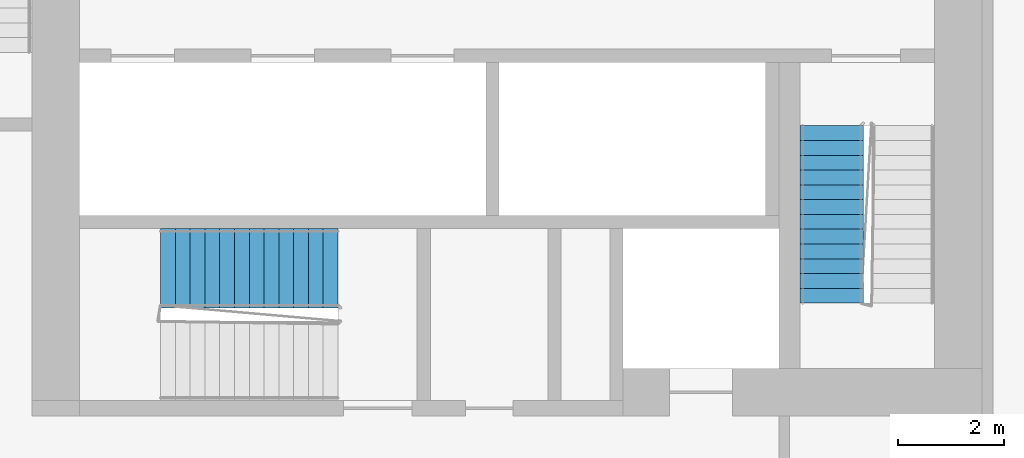
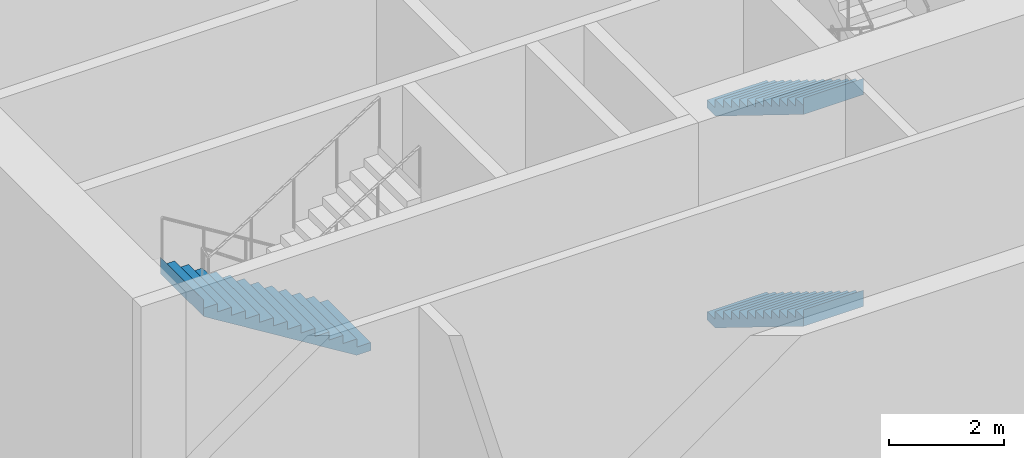
# One storey, part 14 of 24: 3 stair flights, 2 elements without a shape of their own.
"""IFC4 building model written with IfcOpenShell, lengths in metres."""

from ifc_helpers import new_model, si_unit, direction, frame, origin, place, context, subcontext, project, spatial, faceted_brep, material, type_object, element, aggregate, save


model = new_model("IFC4")

# Units and contexts
model_context = context("Model", 3, precision=1e-05, world=origin(), true_north=direction((0.0, 1.0)))
body_context = subcontext(model_context, "Body", "Model", "MODEL_VIEW")
ifc_project = project(units=[si_unit("LENGTHUNIT", "METRE"), si_unit("AREAUNIT", "SQUARE_METRE"), si_unit("VOLUMEUNIT", "CUBIC_METRE"), si_unit("PLANEANGLEUNIT", "RADIAN"), si_unit("MASSUNIT", "GRAM", prefix="KILO")], contexts=[model_context])

# Site, building, storey
site_placement = place(None, origin())
site = spatial("IfcSite", under=ifc_project, at=site_placement, CompositionType="ELEMENT")
building_placement = place(site_placement, origin())
building = spatial("IfcBuilding", under=site, at=building_placement, Name="Kajstack Hotel Tower", CompositionType="ELEMENT")
storey_placement = place(building_placement, frame((0.0, 0.0, 38.0)))
storey = spatial("IfcBuildingStorey", under=building, at=storey_placement, Name="L06", CompositionType="ELEMENT", Elevation=38.0)

# Stair, stair flights
ifc_material = material(Name="Concrete C40/50", Category="concrete")
stair_type_1 = type_object("IfcStairType", Name="Exit stair 1200", PredefinedType="HALF_TURN_STAIR", material=ifc_material)
stair_1_placement = place(storey_placement, origin())
stair_1 = element("IfcStair", 1, at=stair_1_placement, inside=storey, type_object=stair_type_1, Name="L06 stair W2", PredefinedType="HALF_TURN_STAIR")
stair_flight_type_1 = type_object("IfcStairFlightType", Name="Exit stair flight 1200", PredefinedType="STRAIGHT", material=ifc_material)
stair_flight_1_placement = place(storey_placement, frame((-16.35009765625, -10.0, 0.0), z_axis=(0.0, 0.0, 1.0), x_axis=(0.0, -1.0, 0.0)))
stair_flight_1 = element("IfcStairFlight", 2, at=stair_flight_1_placement, type_object=stair_flight_type_1, Name="W2 flight 1", NumberOfRisers=13, NumberOfTreads=12, PredefinedType="STRAIGHT", RiserHeight=0.173076923, TreadLength=0.28, context=body_context, shape_type="Brep", body=[
    faceted_brep([(0.28564453125, -0.60009765625, 0.0), (3.360595703125, -0.60009765625, 1.900634765625), (3.360595703125, -0.60009765625, 2.25), (3.360107421875, -0.60009765625, 2.25), (3.360107421875, -0.60009765625, 2.076904296875), (3.080078125, -0.60009765625, 2.076904296875), (3.080078125, -0.60009765625, 1.90380859375), (2.800048828125, -0.60009765625, 1.90380859375), (2.800048828125, -0.60009765625, 1.730712890625), (2.52001953125, -0.60009765625, 1.730712890625), (2.52001953125, -0.60009765625, 1.5576171875), (2.239990234375, -0.60009765625, 1.5576171875), (2.239990234375, -0.60009765625, 1.384521484375), (1.9599609375, -0.60009765625, 1.384521484375), (1.9599609375, -0.60009765625, 1.21142578125), (1.679931640625, -0.60009765625, 1.21142578125), (1.679931640625, -0.60009765625, 1.03857421875), (1.39990234375, -0.60009765625, 1.03857421875), (1.39990234375, -0.60009765625, 0.865478515625), (1.1201171875, -0.60009765625, 0.865478515625), (1.1201171875, -0.60009765625, 0.6923828125), (0.840087890625, -0.60009765625, 0.6923828125), (0.840087890625, -0.60009765625, 0.519287109375), (0.56005859375, -0.60009765625, 0.519287109375), (0.56005859375, -0.60009765625, 0.34619140625), (0.280029296875, -0.60009765625, 0.34619140625), (0.280029296875, -0.60009765625, 0.173095703125), (-0.00048828125, -0.60009765625, 0.173095703125), (-0.00048828125, -0.60009765625, 0.0), (-0.00048828125, 0.60009765625, 0.0), (-0.00048828125, 0.60009765625, 0.173095703125), (0.280029296875, 0.60009765625, 0.173095703125), (0.280029296875, 0.60009765625, 0.34619140625), (0.56005859375, 0.60009765625, 0.34619140625), (0.56005859375, 0.60009765625, 0.519287109375), (0.840087890625, 0.60009765625, 0.519287109375), (0.840087890625, 0.60009765625, 0.6923828125), (1.1201171875, 0.60009765625, 0.6923828125), (1.1201171875, 0.60009765625, 0.865478515625), (1.39990234375, 0.60009765625, 0.865478515625), (1.39990234375, 0.60009765625, 1.03857421875), (1.679931640625, 0.60009765625, 1.03857421875), (1.679931640625, 0.60009765625, 1.21142578125), (1.9599609375, 0.60009765625, 1.21142578125), (1.9599609375, 0.60009765625, 1.384521484375), (2.239990234375, 0.60009765625, 1.384521484375), (2.239990234375, 0.60009765625, 1.5576171875), (2.52001953125, 0.60009765625, 1.5576171875), (2.52001953125, 0.60009765625, 1.730712890625), (2.800048828125, 0.60009765625, 1.730712890625), (2.800048828125, 0.60009765625, 1.90380859375), (3.080078125, 0.60009765625, 1.90380859375), (3.080078125, 0.60009765625, 2.076904296875), (3.360107421875, 0.60009765625, 2.076904296875), (3.360107421875, 0.60009765625, 2.25), (3.360595703125, 0.60009765625, 2.25), (3.360595703125, 0.60009765625, 1.900634765625), (0.28564453125, 0.60009765625, 0.0), (-0.00048828125, -0.300048828125, 0.173095703125), (-0.00048828125, 0.0, 0.173095703125), (-0.00048828125, 0.300048828125, 0.173095703125), (-0.00048828125, 0.300048828125, 0.0), (-0.00048828125, 0.0, 0.0), (-0.00048828125, -0.300048828125, 0.0), (0.280029296875, -0.300048828125, 0.173095703125), (0.280029296875, 0.0, 0.173095703125), (0.280029296875, 0.300048828125, 0.173095703125), (0.280029296875, -0.300048828125, 0.34619140625), (0.280029296875, 0.0, 0.34619140625), (0.280029296875, 0.300048828125, 0.34619140625), (0.56005859375, -0.300048828125, 0.34619140625), (0.56005859375, 0.0, 0.34619140625), (0.56005859375, 0.300048828125, 0.34619140625), (0.56005859375, -0.300048828125, 0.519287109375), (0.56005859375, 0.0, 0.519287109375), (0.56005859375, 0.300048828125, 0.519287109375), (0.840087890625, -0.300048828125, 0.519287109375), (0.840087890625, 0.0, 0.519287109375), (0.840087890625, 0.300048828125, 0.519287109375), (0.840087890625, -0.300048828125, 0.6923828125), (0.840087890625, 0.0, 0.6923828125), (0.840087890625, 0.300048828125, 0.6923828125), (1.1201171875, -0.300048828125, 0.6923828125), (1.1201171875, 0.0, 0.6923828125), (1.1201171875, 0.300048828125, 0.6923828125), (1.1201171875, -0.300048828125, 0.865478515625), (1.1201171875, 0.0, 0.865478515625), (1.1201171875, 0.300048828125, 0.865478515625), (1.39990234375, -0.300048828125, 0.865478515625), (1.39990234375, 0.0, 0.865478515625), (1.39990234375, 0.300048828125, 0.865478515625), (1.39990234375, -0.300048828125, 1.03857421875), (1.39990234375, 0.0, 1.03857421875), (1.39990234375, 0.300048828125, 1.03857421875), (1.679931640625, -0.300048828125, 1.03857421875), (1.679931640625, 0.0, 1.03857421875), (1.679931640625, 0.300048828125, 1.03857421875), (1.679931640625, -0.300048828125, 1.21142578125), (1.679931640625, 0.0, 1.21142578125), (1.679931640625, 0.300048828125, 1.21142578125), (1.9599609375, -0.300048828125, 1.21142578125), (1.9599609375, 0.0, 1.21142578125), (1.9599609375, 0.300048828125, 1.21142578125), (1.9599609375, -0.300048828125, 1.384521484375), (1.9599609375, 0.0, 1.384521484375), (1.9599609375, 0.300048828125, 1.384521484375), (2.239990234375, -0.300048828125, 1.384521484375), (2.239990234375, 0.0, 1.384521484375), (2.239990234375, 0.300048828125, 1.384521484375), (2.239990234375, -0.300048828125, 1.5576171875), (2.239990234375, 0.0, 1.5576171875), (2.239990234375, 0.300048828125, 1.5576171875), (2.52001953125, -0.300048828125, 1.5576171875), (2.52001953125, 0.0, 1.5576171875), (2.52001953125, 0.300048828125, 1.5576171875), (2.52001953125, -0.300048828125, 1.730712890625), (2.52001953125, 0.0, 1.730712890625), (2.52001953125, 0.300048828125, 1.730712890625), (2.800048828125, -0.300048828125, 1.730712890625), (2.800048828125, 0.0, 1.730712890625), (2.800048828125, 0.300048828125, 1.730712890625), (2.800048828125, -0.300048828125, 1.90380859375), (2.800048828125, 0.0, 1.90380859375), (2.800048828125, 0.300048828125, 1.90380859375), (3.080078125, -0.300048828125, 1.90380859375), (3.080078125, 0.0, 1.90380859375), (3.080078125, 0.300048828125, 1.90380859375), (3.080078125, -0.300048828125, 2.076904296875), (3.080078125, 0.0, 2.076904296875), (3.080078125, 0.300048828125, 2.076904296875), (3.360107421875, -0.300048828125, 2.076904296875), (3.360107421875, 0.0, 2.076904296875), (3.360107421875, 0.300048828125, 2.076904296875), (3.360107421875, -0.300048828125, 2.25), (3.360107421875, 0.0, 2.25), (3.360107421875, 0.300048828125, 2.25), (3.360595703125, -0.300048828125, 2.25), (3.360595703125, 0.0, 2.25), (3.360595703125, 0.300048828125, 2.25), (3.360595703125, -0.300048828125, 1.900634765625), (3.360595703125, 0.0, 1.900634765625), (3.360595703125, 0.300048828125, 1.900634765625), (0.28564453125, -0.300048828125, 0.0), (0.28564453125, 0.0, 0.0), (0.28564453125, 0.300048828125, 0.0)], [[[0, 1, 2, 3, 4, 5, 6, 7, 8, 9, 10, 11, 12, 13, 14, 15, 16, 17, 18, 19, 20, 21, 22, 23, 24, 25, 26, 27, 28]], [[29, 30, 31, 32, 33, 34, 35, 36, 37, 38, 39, 40, 41, 42, 43, 44, 45, 46, 47, 48, 49, 50, 51, 52, 53, 54, 55, 56, 57]], [[27, 58, 59, 60, 30, 29, 61, 62, 63, 28]], [[26, 64, 65, 66, 31, 30, 60, 59, 58, 27]], [[25, 67, 68, 69, 32, 31, 66, 65, 64, 26]], [[24, 70, 71, 72, 33, 32, 69, 68, 67, 25]], [[23, 73, 74, 75, 34, 33, 72, 71, 70, 24]], [[22, 76, 77, 78, 35, 34, 75, 74, 73, 23]], [[21, 79, 80, 81, 36, 35, 78, 77, 76, 22]], [[20, 82, 83, 84, 37, 36, 81, 80, 79, 21]], [[19, 85, 86, 87, 38, 37, 84, 83, 82, 20]], [[18, 88, 89, 90, 39, 38, 87, 86, 85, 19]], [[17, 91, 92, 93, 40, 39, 90, 89, 88, 18]], [[16, 94, 95, 96, 41, 40, 93, 92, 91, 17]], [[15, 97, 98, 99, 42, 41, 96, 95, 94, 16]], [[14, 100, 101, 102, 43, 42, 99, 98, 97, 15]], [[13, 103, 104, 105, 44, 43, 102, 101, 100, 14]], [[12, 106, 107, 108, 45, 44, 105, 104, 103, 13]], [[11, 109, 110, 111, 46, 45, 108, 107, 106, 12]], [[10, 112, 113, 114, 47, 46, 111, 110, 109, 11]], [[9, 115, 116, 117, 48, 47, 114, 113, 112, 10]], [[8, 118, 119, 120, 49, 48, 117, 116, 115, 9]], [[7, 121, 122, 123, 50, 49, 120, 119, 118, 8]], [[6, 124, 125, 126, 51, 50, 123, 122, 121, 7]], [[5, 127, 128, 129, 52, 51, 126, 125, 124, 6]], [[4, 130, 131, 132, 53, 52, 129, 128, 127, 5]], [[3, 133, 134, 135, 54, 53, 132, 131, 130, 4]], [[2, 136, 137, 138, 55, 54, 135, 134, 133, 3]], [[1, 139, 140, 141, 56, 55, 138, 137, 136, 2]], [[0, 142, 143, 144, 57, 56, 141, 140, 139, 1]], [[28, 63, 62, 61, 29, 57, 144, 143, 142, 0]]]),
])
stair_flight_2_placement = place(storey_placement, frame((-16.35009765625, -10.0, 4.5), z_axis=(0.0, 0.0, 1.0), x_axis=(0.0, -1.0, 0.0)))
stair_flight_2 = element("IfcStairFlight", 3, at=stair_flight_2_placement, type_object=stair_flight_type_1, Name="W2 flight 3", NumberOfRisers=13, NumberOfTreads=12, PredefinedType="STRAIGHT", RiserHeight=0.173076923, TreadLength=0.28, context=body_context, shape_type="Brep", body=[
    faceted_brep([(0.28564453125, -0.60009765625, 0.0), (3.360595703125, -0.60009765625, 1.900634765625), (3.360595703125, -0.60009765625, 2.25), (3.360107421875, -0.60009765625, 2.25), (3.360107421875, -0.60009765625, 2.076904296875), (3.080078125, -0.60009765625, 2.076904296875), (3.080078125, -0.60009765625, 1.90380859375), (2.800048828125, -0.60009765625, 1.90380859375), (2.800048828125, -0.60009765625, 1.730712890625), (2.52001953125, -0.60009765625, 1.730712890625), (2.52001953125, -0.60009765625, 1.5576171875), (2.239990234375, -0.60009765625, 1.5576171875), (2.239990234375, -0.60009765625, 1.384521484375), (1.9599609375, -0.60009765625, 1.384521484375), (1.9599609375, -0.60009765625, 1.21142578125), (1.679931640625, -0.60009765625, 1.21142578125), (1.679931640625, -0.60009765625, 1.03857421875), (1.39990234375, -0.60009765625, 1.03857421875), (1.39990234375, -0.60009765625, 0.865478515625), (1.1201171875, -0.60009765625, 0.865478515625), (1.1201171875, -0.60009765625, 0.6923828125), (0.840087890625, -0.60009765625, 0.6923828125), (0.840087890625, -0.60009765625, 0.519287109375), (0.56005859375, -0.60009765625, 0.519287109375), (0.56005859375, -0.60009765625, 0.34619140625), (0.280029296875, -0.60009765625, 0.34619140625), (0.280029296875, -0.60009765625, 0.173095703125), (-0.00048828125, -0.60009765625, 0.173095703125), (-0.00048828125, -0.60009765625, 0.0), (-0.00048828125, 0.60009765625, 0.0), (-0.00048828125, 0.60009765625, 0.173095703125), (0.280029296875, 0.60009765625, 0.173095703125), (0.280029296875, 0.60009765625, 0.34619140625), (0.56005859375, 0.60009765625, 0.34619140625), (0.56005859375, 0.60009765625, 0.519287109375), (0.840087890625, 0.60009765625, 0.519287109375), (0.840087890625, 0.60009765625, 0.6923828125), (1.1201171875, 0.60009765625, 0.6923828125), (1.1201171875, 0.60009765625, 0.865478515625), (1.39990234375, 0.60009765625, 0.865478515625), (1.39990234375, 0.60009765625, 1.03857421875), (1.679931640625, 0.60009765625, 1.03857421875), (1.679931640625, 0.60009765625, 1.21142578125), (1.9599609375, 0.60009765625, 1.21142578125), (1.9599609375, 0.60009765625, 1.384521484375), (2.239990234375, 0.60009765625, 1.384521484375), (2.239990234375, 0.60009765625, 1.5576171875), (2.52001953125, 0.60009765625, 1.5576171875), (2.52001953125, 0.60009765625, 1.730712890625), (2.800048828125, 0.60009765625, 1.730712890625), (2.800048828125, 0.60009765625, 1.90380859375), (3.080078125, 0.60009765625, 1.90380859375), (3.080078125, 0.60009765625, 2.076904296875), (3.360107421875, 0.60009765625, 2.076904296875), (3.360107421875, 0.60009765625, 2.25), (3.360595703125, 0.60009765625, 2.25), (3.360595703125, 0.60009765625, 1.900634765625), (0.28564453125, 0.60009765625, 0.0), (-0.00048828125, -0.300048828125, 0.173095703125), (-0.00048828125, 0.0, 0.173095703125), (-0.00048828125, 0.300048828125, 0.173095703125), (-0.00048828125, 0.300048828125, 0.0), (-0.00048828125, 0.0, 0.0), (-0.00048828125, -0.300048828125, 0.0), (0.280029296875, -0.300048828125, 0.173095703125), (0.280029296875, 0.0, 0.173095703125), (0.280029296875, 0.300048828125, 0.173095703125), (0.280029296875, -0.300048828125, 0.34619140625), (0.280029296875, 0.0, 0.34619140625), (0.280029296875, 0.300048828125, 0.34619140625), (0.56005859375, -0.300048828125, 0.34619140625), (0.56005859375, 0.0, 0.34619140625), (0.56005859375, 0.300048828125, 0.34619140625), (0.56005859375, -0.300048828125, 0.519287109375), (0.56005859375, 0.0, 0.519287109375), (0.56005859375, 0.300048828125, 0.519287109375), (0.840087890625, -0.300048828125, 0.519287109375), (0.840087890625, 0.0, 0.519287109375), (0.840087890625, 0.300048828125, 0.519287109375), (0.840087890625, -0.300048828125, 0.6923828125), (0.840087890625, 0.0, 0.6923828125), (0.840087890625, 0.300048828125, 0.6923828125), (1.1201171875, -0.300048828125, 0.6923828125), (1.1201171875, 0.0, 0.6923828125), (1.1201171875, 0.300048828125, 0.6923828125), (1.1201171875, -0.300048828125, 0.865478515625), (1.1201171875, 0.0, 0.865478515625), (1.1201171875, 0.300048828125, 0.865478515625), (1.39990234375, -0.300048828125, 0.865478515625), (1.39990234375, 0.0, 0.865478515625), (1.39990234375, 0.300048828125, 0.865478515625), (1.39990234375, -0.300048828125, 1.03857421875), (1.39990234375, 0.0, 1.03857421875), (1.39990234375, 0.300048828125, 1.03857421875), (1.679931640625, -0.300048828125, 1.03857421875), (1.679931640625, 0.0, 1.03857421875), (1.679931640625, 0.300048828125, 1.03857421875), (1.679931640625, -0.300048828125, 1.21142578125), (1.679931640625, 0.0, 1.21142578125), (1.679931640625, 0.300048828125, 1.21142578125), (1.9599609375, -0.300048828125, 1.21142578125), (1.9599609375, 0.0, 1.21142578125), (1.9599609375, 0.300048828125, 1.21142578125), (1.9599609375, -0.300048828125, 1.384521484375), (1.9599609375, 0.0, 1.384521484375), (1.9599609375, 0.300048828125, 1.384521484375), (2.239990234375, -0.300048828125, 1.384521484375), (2.239990234375, 0.0, 1.384521484375), (2.239990234375, 0.300048828125, 1.384521484375), (2.239990234375, -0.300048828125, 1.5576171875), (2.239990234375, 0.0, 1.5576171875), (2.239990234375, 0.300048828125, 1.5576171875), (2.52001953125, -0.300048828125, 1.5576171875), (2.52001953125, 0.0, 1.5576171875), (2.52001953125, 0.300048828125, 1.5576171875), (2.52001953125, -0.300048828125, 1.730712890625), (2.52001953125, 0.0, 1.730712890625), (2.52001953125, 0.300048828125, 1.730712890625), (2.800048828125, -0.300048828125, 1.730712890625), (2.800048828125, 0.0, 1.730712890625), (2.800048828125, 0.300048828125, 1.730712890625), (2.800048828125, -0.300048828125, 1.90380859375), (2.800048828125, 0.0, 1.90380859375), (2.800048828125, 0.300048828125, 1.90380859375), (3.080078125, -0.300048828125, 1.90380859375), (3.080078125, 0.0, 1.90380859375), (3.080078125, 0.300048828125, 1.90380859375), (3.080078125, -0.300048828125, 2.076904296875), (3.080078125, 0.0, 2.076904296875), (3.080078125, 0.300048828125, 2.076904296875), (3.360107421875, -0.300048828125, 2.076904296875), (3.360107421875, 0.0, 2.076904296875), (3.360107421875, 0.300048828125, 2.076904296875), (3.360107421875, -0.300048828125, 2.25), (3.360107421875, 0.0, 2.25), (3.360107421875, 0.300048828125, 2.25), (3.360595703125, -0.300048828125, 2.25), (3.360595703125, 0.0, 2.25), (3.360595703125, 0.300048828125, 2.25), (3.360595703125, -0.300048828125, 1.900634765625), (3.360595703125, 0.0, 1.900634765625), (3.360595703125, 0.300048828125, 1.900634765625), (0.28564453125, -0.300048828125, 0.0), (0.28564453125, 0.0, 0.0), (0.28564453125, 0.300048828125, 0.0)], [[[0, 1, 2, 3, 4, 5, 6, 7, 8, 9, 10, 11, 12, 13, 14, 15, 16, 17, 18, 19, 20, 21, 22, 23, 24, 25, 26, 27, 28]], [[29, 30, 31, 32, 33, 34, 35, 36, 37, 38, 39, 40, 41, 42, 43, 44, 45, 46, 47, 48, 49, 50, 51, 52, 53, 54, 55, 56, 57]], [[27, 58, 59, 60, 30, 29, 61, 62, 63, 28]], [[26, 64, 65, 66, 31, 30, 60, 59, 58, 27]], [[25, 67, 68, 69, 32, 31, 66, 65, 64, 26]], [[24, 70, 71, 72, 33, 32, 69, 68, 67, 25]], [[23, 73, 74, 75, 34, 33, 72, 71, 70, 24]], [[22, 76, 77, 78, 35, 34, 75, 74, 73, 23]], [[21, 79, 80, 81, 36, 35, 78, 77, 76, 22]], [[20, 82, 83, 84, 37, 36, 81, 80, 79, 21]], [[19, 85, 86, 87, 38, 37, 84, 83, 82, 20]], [[18, 88, 89, 90, 39, 38, 87, 86, 85, 19]], [[17, 91, 92, 93, 40, 39, 90, 89, 88, 18]], [[16, 94, 95, 96, 41, 40, 93, 92, 91, 17]], [[15, 97, 98, 99, 42, 41, 96, 95, 94, 16]], [[14, 100, 101, 102, 43, 42, 99, 98, 97, 15]], [[13, 103, 104, 105, 44, 43, 102, 101, 100, 14]], [[12, 106, 107, 108, 45, 44, 105, 104, 103, 13]], [[11, 109, 110, 111, 46, 45, 108, 107, 106, 12]], [[10, 112, 113, 114, 47, 46, 111, 110, 109, 11]], [[9, 115, 116, 117, 48, 47, 114, 113, 112, 10]], [[8, 118, 119, 120, 49, 48, 117, 116, 115, 9]], [[7, 121, 122, 123, 50, 49, 120, 119, 118, 8]], [[6, 124, 125, 126, 51, 50, 123, 122, 121, 7]], [[5, 127, 128, 129, 52, 51, 126, 125, 124, 6]], [[4, 130, 131, 132, 53, 52, 129, 128, 127, 5]], [[3, 133, 134, 135, 54, 53, 132, 131, 130, 4]], [[2, 136, 137, 138, 55, 54, 135, 134, 133, 3]], [[1, 139, 140, 141, 56, 55, 138, 137, 136, 2]], [[0, 142, 143, 144, 57, 56, 141, 140, 139, 1]], [[28, 63, 62, 61, 29, 57, 144, 143, 142, 0]]]),
])
aggregate(stair_1, [stair_flight_1, stair_flight_2])

# Stair, stair flight
stair_type_2 = type_object("IfcStairType", Name="Exit stair 1500", PredefinedType="HALF_TURN_STAIR", material=ifc_material)
stair_2_placement = place(storey_placement, origin())
stair_2 = element("IfcStair", 4, at=stair_2_placement, inside=storey, type_object=stair_type_2, Name="L06 stair W3", PredefinedType="HALF_TURN_STAIR")
stair_flight_type_2 = type_object("IfcStairFlightType", Name="Exit stair flight 1500", PredefinedType="STRAIGHT", material=ifc_material)
stair_flight_3_placement = place(storey_placement, frame((-25.699951171875, -12.699951171875, 4.5), z_axis=(0.0, 0.0, 1.0), x_axis=(-1.0, 0.0, 0.0)))
stair_flight_3 = element("IfcStairFlight", 5, at=stair_flight_3_placement, type_object=stair_flight_type_2, Name="W3 flight 3", NumberOfRisers=13, NumberOfTreads=12, PredefinedType="STRAIGHT", RiserHeight=0.173076923, TreadLength=0.28, context=body_context, shape_type="Brep", body=[
    faceted_brep([(0.28564453125, -0.75, 0.0), (3.360595703125, -0.75, 1.900634765625), (3.360595703125, -0.75, 2.25), (3.360107421875, -0.75, 2.25), (3.360107421875, -0.75, 2.076904296875), (3.080078125, -0.75, 2.076904296875), (3.080078125, -0.75, 1.90380859375), (2.800048828125, -0.75, 1.90380859375), (2.800048828125, -0.75, 1.730712890625), (2.52001953125, -0.75, 1.730712890625), (2.52001953125, -0.75, 1.5576171875), (2.239990234375, -0.75, 1.5576171875), (2.239990234375, -0.75, 1.384521484375), (1.9599609375, -0.75, 1.384521484375), (1.9599609375, -0.75, 1.21142578125), (1.679931640625, -0.75, 1.21142578125), (1.679931640625, -0.75, 1.03857421875), (1.39990234375, -0.75, 1.03857421875), (1.39990234375, -0.75, 0.865478515625), (1.1201171875, -0.75, 0.865478515625), (1.1201171875, -0.75, 0.6923828125), (0.840087890625, -0.75, 0.6923828125), (0.840087890625, -0.75, 0.519287109375), (0.56005859375, -0.75, 0.519287109375), (0.56005859375, -0.75, 0.34619140625), (0.280029296875, -0.75, 0.34619140625), (0.280029296875, -0.75, 0.173095703125), (-0.00048828125, -0.75, 0.173095703125), (-0.00048828125, -0.75, 0.0), (-0.00048828125, 0.75, 0.0), (-0.00048828125, 0.75, 0.173095703125), (0.280029296875, 0.75, 0.173095703125), (0.280029296875, 0.75, 0.34619140625), (0.56005859375, 0.75, 0.34619140625), (0.56005859375, 0.75, 0.519287109375), (0.840087890625, 0.75, 0.519287109375), (0.840087890625, 0.75, 0.6923828125), (1.1201171875, 0.75, 0.6923828125), (1.1201171875, 0.75, 0.865478515625), (1.39990234375, 0.75, 0.865478515625), (1.39990234375, 0.75, 1.03857421875), (1.679931640625, 0.75, 1.03857421875), (1.679931640625, 0.75, 1.21142578125), (1.9599609375, 0.75, 1.21142578125), (1.9599609375, 0.75, 1.384521484375), (2.239990234375, 0.75, 1.384521484375), (2.239990234375, 0.75, 1.5576171875), (2.52001953125, 0.75, 1.5576171875), (2.52001953125, 0.75, 1.730712890625), (2.800048828125, 0.75, 1.730712890625), (2.800048828125, 0.75, 1.90380859375), (3.080078125, 0.75, 1.90380859375), (3.080078125, 0.75, 2.076904296875), (3.360107421875, 0.75, 2.076904296875), (3.360107421875, 0.75, 2.25), (3.360595703125, 0.75, 2.25), (3.360595703125, 0.75, 1.900634765625), (0.28564453125, 0.75, 0.0), (-0.00048828125, -0.375, 0.173095703125), (-0.00048828125, 0.0, 0.173095703125), (-0.00048828125, 0.375, 0.173095703125), (-0.00048828125, 0.375, 0.0), (-0.00048828125, 0.0, 0.0), (-0.00048828125, -0.375, 0.0), (0.280029296875, -0.375, 0.173095703125), (0.280029296875, 0.0, 0.173095703125), (0.280029296875, 0.375, 0.173095703125), (0.280029296875, -0.375, 0.34619140625), (0.280029296875, 0.0, 0.34619140625), (0.280029296875, 0.375, 0.34619140625), (0.56005859375, -0.375, 0.34619140625), (0.56005859375, 0.0, 0.34619140625), (0.56005859375, 0.375, 0.34619140625), (0.56005859375, -0.375, 0.519287109375), (0.56005859375, 0.0, 0.519287109375), (0.56005859375, 0.375, 0.519287109375), (0.840087890625, -0.375, 0.519287109375), (0.840087890625, 0.0, 0.519287109375), (0.840087890625, 0.375, 0.519287109375), (0.840087890625, -0.375, 0.6923828125), (0.840087890625, 0.0, 0.6923828125), (0.840087890625, 0.375, 0.6923828125), (1.1201171875, -0.375, 0.6923828125), (1.1201171875, 0.0, 0.6923828125), (1.1201171875, 0.375, 0.6923828125), (1.1201171875, -0.375, 0.865478515625), (1.1201171875, 0.0, 0.865478515625), (1.1201171875, 0.375, 0.865478515625), (1.39990234375, -0.375, 0.865478515625), (1.39990234375, 0.0, 0.865478515625), (1.39990234375, 0.375, 0.865478515625), (1.39990234375, -0.375, 1.03857421875), (1.39990234375, 0.0, 1.03857421875), (1.39990234375, 0.375, 1.03857421875), (1.679931640625, -0.375, 1.03857421875), (1.679931640625, 0.0, 1.03857421875), (1.679931640625, 0.375, 1.03857421875), (1.679931640625, -0.375, 1.21142578125), (1.679931640625, 0.0, 1.21142578125), (1.679931640625, 0.375, 1.21142578125), (1.9599609375, -0.375, 1.21142578125), (1.9599609375, 0.0, 1.21142578125), (1.9599609375, 0.375, 1.21142578125), (1.9599609375, -0.375, 1.384521484375), (1.9599609375, 0.0, 1.384521484375), (1.9599609375, 0.375, 1.384521484375), (2.239990234375, -0.375, 1.384521484375), (2.239990234375, 0.0, 1.384521484375), (2.239990234375, 0.375, 1.384521484375), (2.239990234375, -0.375, 1.5576171875), (2.239990234375, 0.0, 1.5576171875), (2.239990234375, 0.375, 1.5576171875), (2.52001953125, -0.375, 1.5576171875), (2.52001953125, 0.0, 1.5576171875), (2.52001953125, 0.375, 1.5576171875), (2.52001953125, -0.375, 1.730712890625), (2.52001953125, 0.0, 1.730712890625), (2.52001953125, 0.375, 1.730712890625), (2.800048828125, -0.375, 1.730712890625), (2.800048828125, 0.0, 1.730712890625), (2.800048828125, 0.375, 1.730712890625), (2.800048828125, -0.375, 1.90380859375), (2.800048828125, 0.0, 1.90380859375), (2.800048828125, 0.375, 1.90380859375), (3.080078125, -0.375, 1.90380859375), (3.080078125, 0.0, 1.90380859375), (3.080078125, 0.375, 1.90380859375), (3.080078125, -0.375, 2.076904296875), (3.080078125, 0.0, 2.076904296875), (3.080078125, 0.375, 2.076904296875), (3.360107421875, -0.375, 2.076904296875), (3.360107421875, 0.0, 2.076904296875), (3.360107421875, 0.375, 2.076904296875), (3.360107421875, -0.375, 2.25), (3.360107421875, 0.0, 2.25), (3.360107421875, 0.375, 2.25), (3.360595703125, -0.375, 2.25), (3.360595703125, 0.0, 2.25), (3.360595703125, 0.375, 2.25), (3.360595703125, -0.375, 1.900634765625), (3.360595703125, 0.0, 1.900634765625), (3.360595703125, 0.375, 1.900634765625), (0.28564453125, -0.375, 0.0), (0.28564453125, 0.0, 0.0), (0.28564453125, 0.375, 0.0)], [[[0, 1, 2, 3, 4, 5, 6, 7, 8, 9, 10, 11, 12, 13, 14, 15, 16, 17, 18, 19, 20, 21, 22, 23, 24, 25, 26, 27, 28]], [[29, 30, 31, 32, 33, 34, 35, 36, 37, 38, 39, 40, 41, 42, 43, 44, 45, 46, 47, 48, 49, 50, 51, 52, 53, 54, 55, 56, 57]], [[27, 58, 59, 60, 30, 29, 61, 62, 63, 28]], [[26, 64, 65, 66, 31, 30, 60, 59, 58, 27]], [[25, 67, 68, 69, 32, 31, 66, 65, 64, 26]], [[24, 70, 71, 72, 33, 32, 69, 68, 67, 25]], [[23, 73, 74, 75, 34, 33, 72, 71, 70, 24]], [[22, 76, 77, 78, 35, 34, 75, 74, 73, 23]], [[21, 79, 80, 81, 36, 35, 78, 77, 76, 22]], [[20, 82, 83, 84, 37, 36, 81, 80, 79, 21]], [[19, 85, 86, 87, 38, 37, 84, 83, 82, 20]], [[18, 88, 89, 90, 39, 38, 87, 86, 85, 19]], [[17, 91, 92, 93, 40, 39, 90, 89, 88, 18]], [[16, 94, 95, 96, 41, 40, 93, 92, 91, 17]], [[15, 97, 98, 99, 42, 41, 96, 95, 94, 16]], [[14, 100, 101, 102, 43, 42, 99, 98, 97, 15]], [[13, 103, 104, 105, 44, 43, 102, 101, 100, 14]], [[12, 106, 107, 108, 45, 44, 105, 104, 103, 13]], [[11, 109, 110, 111, 46, 45, 108, 107, 106, 12]], [[10, 112, 113, 114, 47, 46, 111, 110, 109, 11]], [[9, 115, 116, 117, 48, 47, 114, 113, 112, 10]], [[8, 118, 119, 120, 49, 48, 117, 116, 115, 9]], [[7, 121, 122, 123, 50, 49, 120, 119, 118, 8]], [[6, 124, 125, 126, 51, 50, 123, 122, 121, 7]], [[5, 127, 128, 129, 52, 51, 126, 125, 124, 6]], [[4, 130, 131, 132, 53, 52, 129, 128, 127, 5]], [[3, 133, 134, 135, 54, 53, 132, 131, 130, 4]], [[2, 136, 137, 138, 55, 54, 135, 134, 133, 3]], [[1, 139, 140, 141, 56, 55, 138, 137, 136, 2]], [[0, 142, 143, 144, 57, 56, 141, 140, 139, 1]], [[28, 63, 62, 61, 29, 57, 144, 143, 142, 0]]]),
])
aggregate(stair_2, [stair_flight_3])

save(model, "model.ifc")
